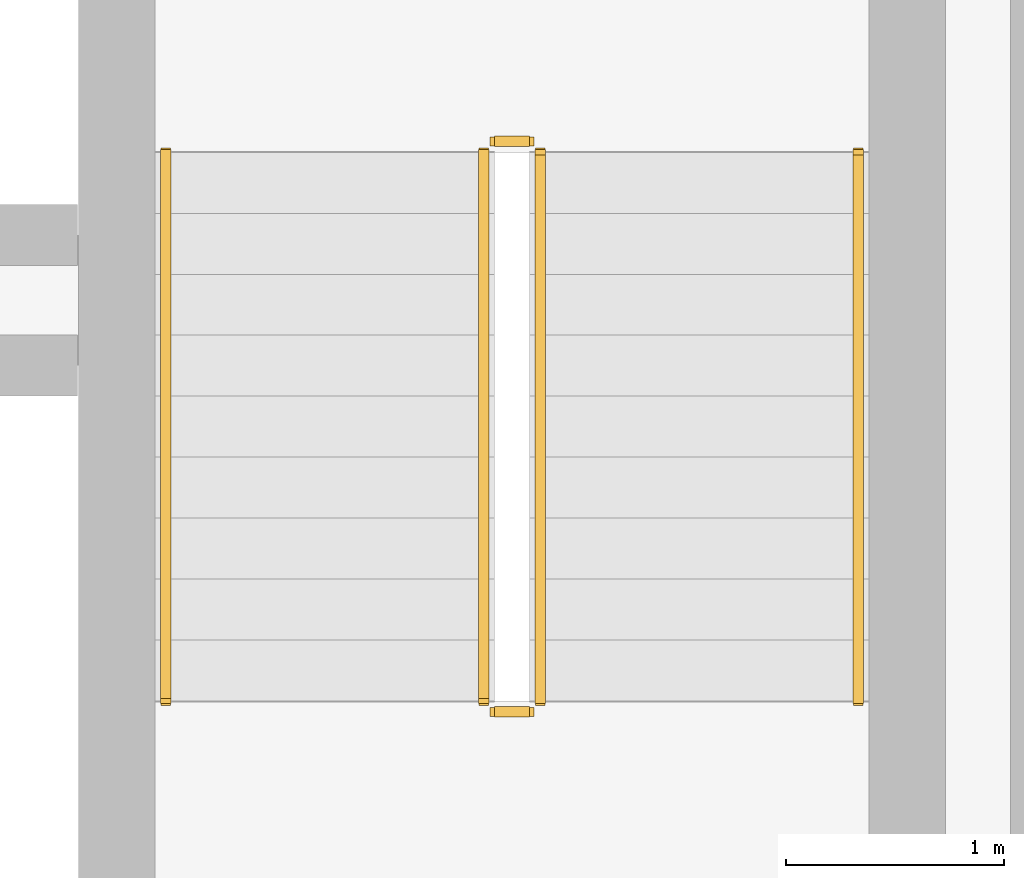
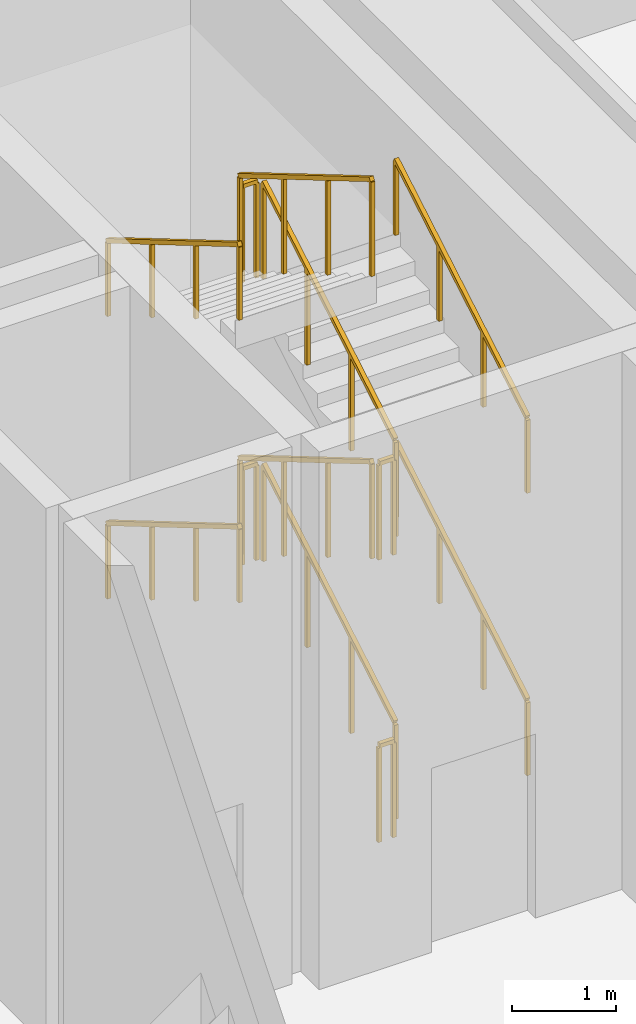
# One storey, part 29 of 29: 12 railings.
"""IFC4 building model written with IfcOpenShell, lengths in metres."""

from ifc_helpers import new_model, si_unit, direction, frame, origin, origin_2d, place, context, subcontext, project, spatial, rectangle, extrude, material, type_object, element, save


model = new_model("IFC4")

# Units and contexts
model_context = context("Model", 3, precision=1e-05, world=origin(), true_north=direction((0.0, 1.0)))
body_context = subcontext(model_context, "Body", "Model", "MODEL_VIEW")
ifc_project = project(units=[si_unit("LENGTHUNIT", "METRE"), si_unit("AREAUNIT", "SQUARE_METRE"), si_unit("VOLUMEUNIT", "CUBIC_METRE"), si_unit("PLANEANGLEUNIT", "RADIAN"), si_unit("MASSUNIT", "GRAM", prefix="KILO")], contexts=[model_context])

# Site, building, storey
site_placement = place(None, origin())
site = spatial("IfcSite", under=ifc_project, at=site_placement, CompositionType="ELEMENT")
building_placement = place(site_placement, origin())
building = spatial("IfcBuilding", under=site, at=building_placement, Name="Kaelvorn Grand Hotel", CompositionType="ELEMENT")
storey_placement = place(building_placement, frame((0.0, 0.0, 19.39990234375)))
storey = spatial("IfcBuildingStorey", under=building, at=storey_placement, Name="L03", CompositionType="ELEMENT", Elevation=19.39990234375)

# Railings
ifc_material = material(Name="Stainless Steel", Category="steel")
railing_type_1 = type_object("IfcRailingType", Name="RL-HANDRAIL-900", PredefinedType="HANDRAIL", material=ifc_material)
railing_1_placement = place(storey_placement, frame((66.550048828125, 41.760009765625, 0.1650390625)))
element("IfcRailing", 1, at=railing_1_placement, inside=storey, type_object=railing_type_1, Name="L03 ST3 stair handrail 1", PredefinedType="HANDRAIL", context=body_context, shape_type="SweptSolid", body=[
    extrude(rectangle(XDim=0.048095703125, YDim=0.048095703125, at=origin_2d()), frame((0.0, 0.0, 0.8759765625), z_axis=(0.0, 0.86152411907, 0.507716645641), x_axis=(-1.0, 0.0, 0.0)), (0.0, 0.0, 1.0), 2.925048828125),
    extrude(rectangle(XDim=0.0419921875, YDim=0.0419921875, at=origin_2d()), origin(), (0.0, 0.0, 1.0), 0.851806640625),
    extrude(rectangle(XDim=0.0419921875, YDim=0.0419921875, at=origin_2d()), frame((0.0, 0.840087890625, 0.4951171875)), (0.0, 0.0, 1.0), 0.851806640625),
    extrude(rectangle(XDim=0.0419921875, YDim=0.0419921875, at=origin_2d()), frame((0.0, 1.679931640625, 0.989990234375)), (0.0, 0.0, 1.0), 0.851806640625),
    extrude(rectangle(XDim=0.0419921875, YDim=0.0419921875, at=origin_2d()), frame((0.0, 2.52001953125, 1.485107421875)), (0.0, 0.0, 1.0), 0.851806640625),
])
railing_2_placement = place(storey_placement, frame((63.3701171875, 44.280029296875, 1.815185546875)))
element("IfcRailing", 2, at=railing_2_placement, inside=storey, type_object=railing_type_1, Name="L03 ST3 stair handrail 2", PredefinedType="HANDRAIL", context=body_context, shape_type="SweptSolid", body=[
    extrude(rectangle(XDim=0.048095703125, YDim=0.048095703125, at=origin_2d()), frame((0.0, 0.0, 0.8759765625), z_axis=(0.0, -0.861560626758, 0.507654692109), x_axis=(1.0, 0.0, 0.0)), (0.0, 0.0, 1.0), 2.925048828125),
    extrude(rectangle(XDim=0.0419921875, YDim=0.0419921875, at=origin_2d()), origin(), (0.0, 0.0, 1.0), 0.851806640625),
    extrude(rectangle(XDim=0.0419921875, YDim=0.0419921875, at=origin_2d()), frame((0.0, -0.840087890625, 0.494873046875)), (0.0, 0.0, 1.0), 0.851806640625),
    extrude(rectangle(XDim=0.0419921875, YDim=0.0419921875, at=origin_2d()), frame((0.0, -1.679931640625, 0.989990234375)), (0.0, 0.0, 1.0), 0.851806640625),
    extrude(rectangle(XDim=0.0419921875, YDim=0.0419921875, at=origin_2d()), frame((0.0, -2.52001953125, 1.48486328125)), (0.0, 0.0, 1.0), 0.851806640625),
])
railing_3_placement = place(storey_placement, frame((66.550048828125, 41.760009765625, 3.465087890625)))
element("IfcRailing", 3, at=railing_3_placement, inside=storey, type_object=railing_type_1, Name="L03 ST3 stair handrail 3", PredefinedType="HANDRAIL", context=body_context, shape_type="SweptSolid", body=[
    extrude(rectangle(XDim=0.048095703125, YDim=0.048095703125, at=origin_2d()), frame((0.0, 0.0, 0.8759765625), z_axis=(0.0, 0.86152411907, 0.507716645641), x_axis=(-1.0, 0.0, 0.0)), (0.0, 0.0, 1.0), 2.925048828125),
    extrude(rectangle(XDim=0.0419921875, YDim=0.0419921875, at=origin_2d()), origin(), (0.0, 0.0, 1.0), 0.851806640625),
    extrude(rectangle(XDim=0.0419921875, YDim=0.0419921875, at=origin_2d()), frame((0.0, 0.840087890625, 0.4951171875)), (0.0, 0.0, 1.0), 0.851806640625),
    extrude(rectangle(XDim=0.0419921875, YDim=0.0419921875, at=origin_2d()), frame((0.0, 1.679931640625, 0.989990234375)), (0.0, 0.0, 1.0), 0.851806640625),
    extrude(rectangle(XDim=0.0419921875, YDim=0.0419921875, at=origin_2d()), frame((0.0, 2.52001953125, 1.485107421875)), (0.0, 0.0, 1.0), 0.851806640625),
])
railing_4_placement = place(storey_placement, frame((63.3701171875, 44.280029296875, 5.114990234375)))
element("IfcRailing", 4, at=railing_4_placement, inside=storey, type_object=railing_type_1, Name="L03 ST3 stair handrail 4", PredefinedType="HANDRAIL", context=body_context, shape_type="SweptSolid", body=[
    extrude(rectangle(XDim=0.048095703125, YDim=0.048095703125, at=origin_2d()), frame((0.0, 0.0, 0.8759765625), z_axis=(0.0, -0.86152411907, 0.507716645641), x_axis=(1.0, 0.0, 0.0)), (0.0, 0.0, 1.0), 2.925048828125),
    extrude(rectangle(XDim=0.0419921875, YDim=0.0419921875, at=origin_2d()), origin(), (0.0, 0.0, 1.0), 0.851806640625),
    extrude(rectangle(XDim=0.0419921875, YDim=0.0419921875, at=origin_2d()), frame((0.0, -0.840087890625, 0.4951171875)), (0.0, 0.0, 1.0), 0.851806640625),
    extrude(rectangle(XDim=0.0419921875, YDim=0.0419921875, at=origin_2d()), frame((0.0, -1.679931640625, 0.989990234375)), (0.0, 0.0, 1.0), 0.851806640625),
    extrude(rectangle(XDim=0.0419921875, YDim=0.0419921875, at=origin_2d()), frame((0.0, -2.52001953125, 1.485107421875)), (0.0, 0.0, 1.0), 0.851806640625),
])
railing_type_2 = type_object("IfcRailingType", Name="RL-STAIR-GUARD-1150", PredefinedType="BALUSTRADE", material=ifc_material)
railing_5_placement = place(storey_placement, frame((65.090087890625, 41.760009765625, 0.1650390625)))
element("IfcRailing", 5, at=railing_5_placement, inside=storey, type_object=railing_type_2, Name="L03 ST3 stair guard 1", PredefinedType="BALUSTRADE", context=body_context, shape_type="SweptSolid", body=[
    extrude(rectangle(XDim=0.048095703125, YDim=0.048095703125, at=origin_2d()), frame((0.0, 0.0, 1.1259765625), z_axis=(0.0, 0.86152411907, 0.507716645641), x_axis=(-1.0, 0.0, 0.0)), (0.0, 0.0, 1.0), 2.925048828125),
    extrude(rectangle(XDim=0.0419921875, YDim=0.0419921875, at=origin_2d()), origin(), (0.0, 0.0, 1.0), 1.101806640625),
    extrude(rectangle(XDim=0.0419921875, YDim=0.0419921875, at=origin_2d()), frame((0.0, 0.840087890625, 0.4951171875)), (0.0, 0.0, 1.0), 1.101806640625),
    extrude(rectangle(XDim=0.0419921875, YDim=0.0419921875, at=origin_2d()), frame((0.0, 1.679931640625, 0.989990234375)), (0.0, 0.0, 1.0), 1.101806640625),
    extrude(rectangle(XDim=0.0419921875, YDim=0.0419921875, at=origin_2d()), frame((0.0, 2.52001953125, 1.485107421875)), (0.0, 0.0, 1.0), 1.101806640625),
])
railing_6_placement = place(storey_placement, frame((65.0400390625, 44.330078125, 1.650146484375)))
element("IfcRailing", 6, at=railing_6_placement, inside=storey, type_object=railing_type_2, Name="L03 ST3 stair guard 2", PredefinedType="BALUSTRADE", context=body_context, shape_type="SweptSolid", body=[
    extrude(rectangle(XDim=0.048095703125, YDim=0.048095703125, at=origin_2d()), frame((0.0, 0.0, 1.1259765625), z_axis=(-1.0, 0.0, 0.0), x_axis=(0.0, -1.0, 0.0)), (0.0, 0.0, 1.0), 0.16015625),
    extrude(rectangle(XDim=0.0419921875, YDim=0.0419921875, at=origin_2d()), origin(), (0.0, 0.0, 1.0), 1.101806640625),
    extrude(rectangle(XDim=0.0419921875, YDim=0.0419921875, at=origin_2d()), frame((-0.16015625, 0.0, 0.0)), (0.0, 0.0, 1.0), 1.101806640625),
])
railing_7_placement = place(storey_placement, frame((64.830078125, 44.280029296875, 1.815185546875)))
element("IfcRailing", 7, at=railing_7_placement, inside=storey, type_object=railing_type_2, Name="L03 ST3 stair guard 3", PredefinedType="BALUSTRADE", context=body_context, shape_type="SweptSolid", body=[
    extrude(rectangle(XDim=0.048095703125, YDim=0.048095703125, at=origin_2d()), frame((0.0, 0.0, 1.1259765625), z_axis=(0.0, -0.861560626758, 0.507654692109), x_axis=(1.0, 0.0, 0.0)), (0.0, 0.0, 1.0), 2.925048828125),
    extrude(rectangle(XDim=0.0419921875, YDim=0.0419921875, at=origin_2d()), origin(), (0.0, 0.0, 1.0), 1.101806640625),
    extrude(rectangle(XDim=0.0419921875, YDim=0.0419921875, at=origin_2d()), frame((0.0, -0.840087890625, 0.494873046875)), (0.0, 0.0, 1.0), 1.101806640625),
    extrude(rectangle(XDim=0.0419921875, YDim=0.0419921875, at=origin_2d()), frame((0.0, -1.679931640625, 0.989990234375)), (0.0, 0.0, 1.0), 1.101806640625),
    extrude(rectangle(XDim=0.0419921875, YDim=0.0419921875, at=origin_2d()), frame((0.0, -2.52001953125, 1.48486328125)), (0.0, 0.0, 1.0), 1.101806640625),
])
railing_8_placement = place(storey_placement, frame((65.0400390625, 41.7099609375, 3.300048828125)))
element("IfcRailing", 8, at=railing_8_placement, inside=storey, type_object=railing_type_2, Name="L03 ST3 stair guard 4", PredefinedType="BALUSTRADE", context=body_context, shape_type="SweptSolid", body=[
    extrude(rectangle(XDim=0.048095703125, YDim=0.048095703125, at=origin_2d()), frame((0.0, 0.0, 1.1259765625), z_axis=(-1.0, 0.0, 0.0), x_axis=(0.0, -1.0, 0.0)), (0.0, 0.0, 1.0), 0.16015625),
    extrude(rectangle(XDim=0.0419921875, YDim=0.0419921875, at=origin_2d()), origin(), (0.0, 0.0, 1.0), 1.101806640625),
    extrude(rectangle(XDim=0.0419921875, YDim=0.0419921875, at=origin_2d()), frame((-0.16015625, 0.0, 0.0)), (0.0, 0.0, 1.0), 1.101806640625),
])
railing_9_placement = place(storey_placement, frame((65.090087890625, 41.760009765625, 3.465087890625)))
element("IfcRailing", 9, at=railing_9_placement, inside=storey, type_object=railing_type_2, Name="L03 ST3 stair guard 5", PredefinedType="BALUSTRADE", context=body_context, shape_type="SweptSolid", body=[
    extrude(rectangle(XDim=0.048095703125, YDim=0.048095703125, at=origin_2d()), frame((0.0, 0.0, 1.1259765625), z_axis=(0.0, 0.86152411907, 0.507716645641), x_axis=(-1.0, 0.0, 0.0)), (0.0, 0.0, 1.0), 2.925048828125),
    extrude(rectangle(XDim=0.0419921875, YDim=0.0419921875, at=origin_2d()), origin(), (0.0, 0.0, 1.0), 1.101806640625),
    extrude(rectangle(XDim=0.0419921875, YDim=0.0419921875, at=origin_2d()), frame((0.0, 0.840087890625, 0.4951171875)), (0.0, 0.0, 1.0), 1.101806640625),
    extrude(rectangle(XDim=0.0419921875, YDim=0.0419921875, at=origin_2d()), frame((0.0, 1.679931640625, 0.989990234375)), (0.0, 0.0, 1.0), 1.101806640625),
    extrude(rectangle(XDim=0.0419921875, YDim=0.0419921875, at=origin_2d()), frame((0.0, 2.52001953125, 1.485107421875)), (0.0, 0.0, 1.0), 1.101806640625),
])
railing_10_placement = place(storey_placement, frame((65.0400390625, 44.330078125, 4.9501953125)))
element("IfcRailing", 10, at=railing_10_placement, inside=storey, type_object=railing_type_2, Name="L03 ST3 stair guard 6", PredefinedType="BALUSTRADE", context=body_context, shape_type="SweptSolid", body=[
    extrude(rectangle(XDim=0.048095703125, YDim=0.048095703125, at=origin_2d()), frame((0.0, 0.0, 1.1259765625), z_axis=(-1.0, 0.0, 0.0), x_axis=(0.0, -1.0, 0.0)), (0.0, 0.0, 1.0), 0.16015625),
    extrude(rectangle(XDim=0.0419921875, YDim=0.0419921875, at=origin_2d()), origin(), (0.0, 0.0, 1.0), 1.101806640625),
    extrude(rectangle(XDim=0.0419921875, YDim=0.0419921875, at=origin_2d()), frame((-0.16015625, 0.0, 0.0)), (0.0, 0.0, 1.0), 1.101806640625),
])
railing_11_placement = place(storey_placement, frame((64.830078125, 44.280029296875, 5.114990234375)))
element("IfcRailing", 11, at=railing_11_placement, inside=storey, type_object=railing_type_2, Name="L03 ST3 stair guard 7", PredefinedType="BALUSTRADE", context=body_context, shape_type="SweptSolid", body=[
    extrude(rectangle(XDim=0.048095703125, YDim=0.048095703125, at=origin_2d()), frame((0.0, 0.0, 1.1259765625), z_axis=(0.0, -0.86152411907, 0.507716645641), x_axis=(1.0, 0.0, 0.0)), (0.0, 0.0, 1.0), 2.925048828125),
    extrude(rectangle(XDim=0.0419921875, YDim=0.0419921875, at=origin_2d()), origin(), (0.0, 0.0, 1.0), 1.101806640625),
    extrude(rectangle(XDim=0.0419921875, YDim=0.0419921875, at=origin_2d()), frame((0.0, -0.840087890625, 0.4951171875)), (0.0, 0.0, 1.0), 1.101806640625),
    extrude(rectangle(XDim=0.0419921875, YDim=0.0419921875, at=origin_2d()), frame((0.0, -1.679931640625, 0.989990234375)), (0.0, 0.0, 1.0), 1.101806640625),
    extrude(rectangle(XDim=0.0419921875, YDim=0.0419921875, at=origin_2d()), frame((0.0, -2.52001953125, 1.485107421875)), (0.0, 0.0, 1.0), 1.101806640625),
])
railing_12_placement = place(storey_placement, frame((65.0400390625, 41.7099609375, 0.0)))
element("IfcRailing", 12, at=railing_12_placement, inside=storey, type_object=railing_type_2, Name="L03 ST3 stair guard 8", PredefinedType="BALUSTRADE", context=body_context, shape_type="SweptSolid", body=[
    extrude(rectangle(XDim=0.048095703125, YDim=0.048095703125, at=origin_2d()), frame((0.0, 0.0, 1.1259765625), z_axis=(-1.0, 0.0, 0.0), x_axis=(0.0, -1.0, 0.0)), (0.0, 0.0, 1.0), 0.16015625),
    extrude(rectangle(XDim=0.0419921875, YDim=0.0419921875, at=origin_2d()), origin(), (0.0, 0.0, 1.0), 1.101806640625),
    extrude(rectangle(XDim=0.0419921875, YDim=0.0419921875, at=origin_2d()), frame((-0.16015625, 0.0, 0.0)), (0.0, 0.0, 1.0), 1.101806640625),
])

save(model, "model.ifc")
